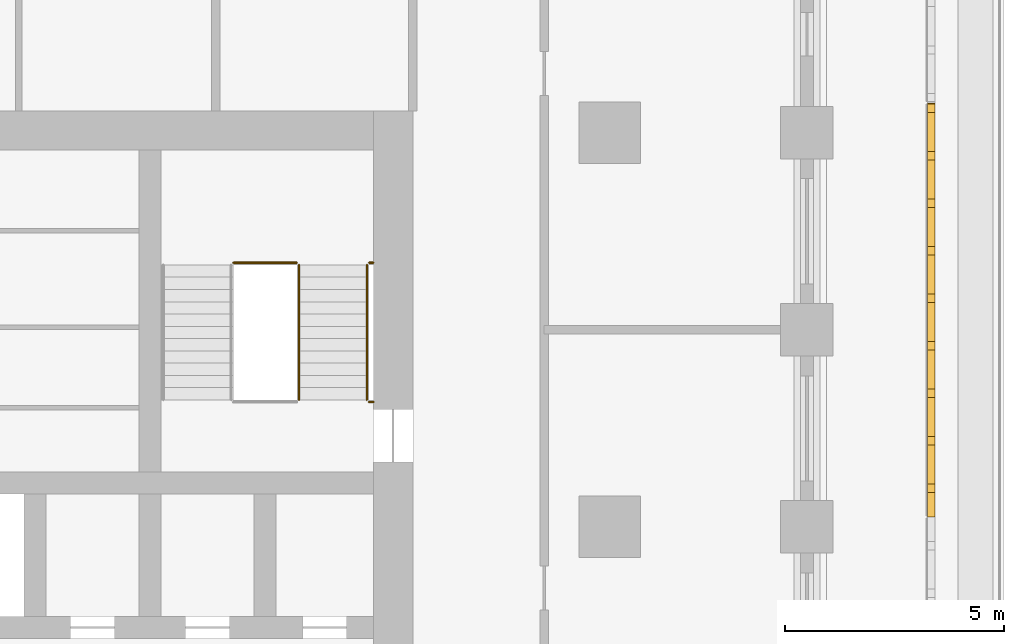
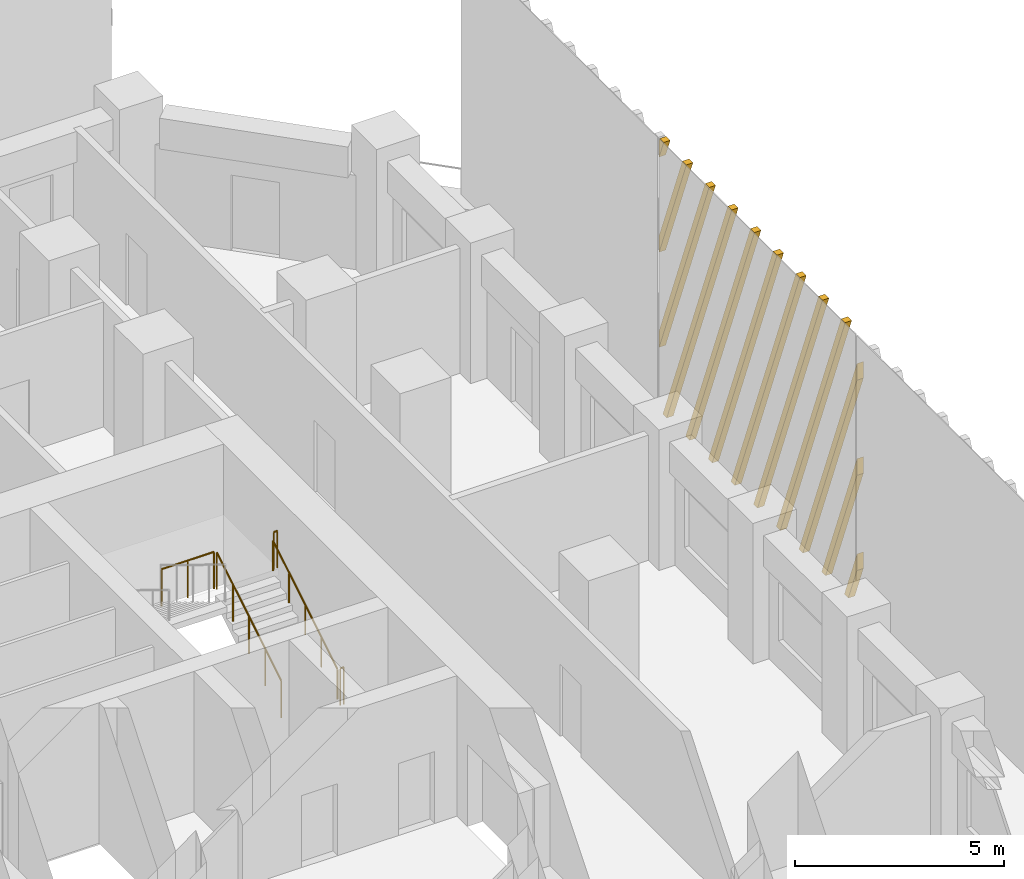
# One storey, part 17 of 19: 5 railings, 1 shading device.
"""IFC4 building model written with IfcOpenShell, lengths in metres."""

from ifc_helpers import new_model, si_unit, direction, frame, origin, origin_2d, place, context, subcontext, project, spatial, polyline, circle, outline, extrude, source, transform, mapped, material, type_object, element, save


model = new_model("IFC4")

# Units and contexts
model_context = context("Model", 3, precision=1e-05, world=origin(), true_north=direction((0.0, 1.0)))
body_context = subcontext(model_context, "Body", "Model", "MODEL_VIEW")
ifc_project = project(units=[si_unit("LENGTHUNIT", "METRE"), si_unit("AREAUNIT", "SQUARE_METRE"), si_unit("VOLUMEUNIT", "CUBIC_METRE"), si_unit("PLANEANGLEUNIT", "RADIAN"), si_unit("MASSUNIT", "GRAM", prefix="KILO")], contexts=[model_context])

# Site, building, storey
site_placement = place(None, origin())
site = spatial("IfcSite", under=ifc_project, at=site_placement, CompositionType="ELEMENT")
building_placement = place(site_placement, origin())
building = spatial("IfcBuilding", under=site, at=building_placement, Name="Corbel Stack Research Tower", CompositionType="ELEMENT")
storey_placement = place(building_placement, frame((0.0, 0.0, 116.699951171875)))
storey = spatial("IfcBuildingStorey", under=building, at=storey_placement, Name="L26", CompositionType="ELEMENT", Elevation=116.699951171875)

# Railings
ifc_material_1 = material(Name="Steel S355", Category="steel")
railing_type_1 = type_object("IfcRailingType", Name="Stair guard 1100", PredefinedType="GUARDRAIL", material=ifc_material_1)
railing_1_placement = place(storey_placement, frame((15.39990234375, 11.89990234375, 0.1708984375)))
element("IfcRailing", 1, at=railing_1_placement, inside=storey, type_object=railing_type_1, Name="L26 ST-E2 stair guard 1", PredefinedType="GUARDRAIL", context=body_context, shape_type="SweptSolid", body=[
    extrude(circle(Radius=0.02392578125, at=origin_2d()), frame((0.0, 0.0, 1.076171875), z_axis=(0.0, 0.853666305674, 0.52082035152), x_axis=(-1.0, 0.0, 0.0)), (0.0, 0.0, 1.0), 3.608154296875),
    extrude(circle(Radius=0.02099609375, at=origin_2d()), origin(), (0.0, 0.0, 1.0), 1.052001953125),
    extrude(circle(Radius=0.02099609375, at=origin_2d()), frame((0.0, 0.77001953125, 0.4697265625)), (0.0, 0.0, 1.0), 1.052001953125),
    extrude(circle(Radius=0.02099609375, at=origin_2d()), frame((0.0, 1.5400390625, 0.939453125)), (0.0, 0.0, 1.0), 1.052001953125),
    extrude(circle(Radius=0.02099609375, at=origin_2d()), frame((0.0, 2.31005859375, 1.409423828125)), (0.0, 0.0, 1.0), 1.052001953125),
    extrude(circle(Radius=0.02099609375, at=origin_2d()), frame((0.0, 3.080078125, 1.879150390625)), (0.0, 0.0, 1.0), 1.052001953125),
])
railing_2_placement = place(storey_placement, frame((15.35009765625, 15.030029296875, 2.050048828125)))
element("IfcRailing", 2, at=railing_2_placement, inside=storey, type_object=railing_type_1, Name="L26 ST-E2 stair guard 2", PredefinedType="GUARDRAIL", context=body_context, shape_type="SweptSolid", body=[
    extrude(circle(Radius=0.02392578125, at=origin_2d()), frame((0.0, 0.0, 1.076171875), z_axis=(-1.0, 0.0, 0.0), x_axis=(0.0, -1.0, 0.0)), (0.0, 0.0, 1.0), 1.4501953125),
    extrude(circle(Radius=0.02099609375, at=origin_2d()), origin(), (0.0, 0.0, 1.0), 1.052001953125),
    extrude(circle(Radius=0.02099609375, at=origin_2d()), frame((-0.72509765625, 0.0, 0.0)), (0.0, 0.0, 1.0), 1.052001953125),
    extrude(circle(Radius=0.02099609375, at=origin_2d()), frame((-1.4501953125, 0.0, 0.0)), (0.0, 0.0, 1.0), 1.052001953125),
])
for number, where, name in (
    (3, (17.10009765625, 15.030029296875, 2.050048828125), "L26 ST-E2 stair guard 3"),
    (4, (17.10009765625, 11.85009765625, 0.0), "L26 ST-E2 stair guard 6"),
):
    element("IfcRailing", number, at=place(storey_placement, frame(where)), inside=storey, type_object=railing_type_1, Name=name, PredefinedType="GUARDRAIL", context=body_context, shape_type="SweptSolid", body=[
        extrude(circle(Radius=0.02392578125, at=origin_2d()), frame((0.0, 0.0, 1.076171875), z_axis=(-1.0, 0.0, 0.0), x_axis=(0.0, -1.0, 0.0)), (0.0, 0.0, 1.0), 0.10009765625),
        extrude(circle(Radius=0.02099609375, at=origin_2d()), origin(), (0.0, 0.0, 1.0), 1.052001953125),
        extrude(circle(Radius=0.02099609375, at=origin_2d()), frame((-0.10009765625, 0.0, 0.0)), (0.0, 0.0, 1.0), 1.052001953125),
    ])
ifc_material_2 = material(Name="Steel S355", Category="steel")
railing_type_2 = type_object("IfcRailingType", Name="Stair handrail 900", PredefinedType="HANDRAIL", material=ifc_material_2)
railing_3_placement = place(storey_placement, frame((16.949951171875, 11.89990234375, 0.1708984375)))
element("IfcRailing", 5, at=railing_3_placement, inside=storey, type_object=railing_type_2, Name="L26 ST-E2 stair handrail 1", PredefinedType="HANDRAIL", context=body_context, shape_type="SweptSolid", body=[
    extrude(circle(Radius=0.02392578125, at=origin_2d()), frame((0.0, 0.0, 0.8759765625), z_axis=(0.0, 0.853666305674, 0.52082035152), x_axis=(-1.0, 0.0, 0.0)), (0.0, 0.0, 1.0), 3.608154296875),
    extrude(circle(Radius=0.02099609375, at=origin_2d()), origin(), (0.0, 0.0, 1.0), 0.851806640625),
    extrude(circle(Radius=0.02099609375, at=origin_2d()), frame((0.0, 0.77001953125, 0.4697265625)), (0.0, 0.0, 1.0), 0.851806640625),
    extrude(circle(Radius=0.02099609375, at=origin_2d()), frame((0.0, 1.5400390625, 0.939453125)), (0.0, 0.0, 1.0), 0.851806640625),
    extrude(circle(Radius=0.02099609375, at=origin_2d()), frame((0.0, 2.31005859375, 1.409423828125)), (0.0, 0.0, 1.0), 0.851806640625),
    extrude(circle(Radius=0.02099609375, at=origin_2d()), frame((0.0, 3.080078125, 1.879150390625)), (0.0, 0.0, 1.0), 0.851806640625),
])

# Shading device
ifc_material_3 = material(Name="Precast terracotta", Category="masonry")
shading_device_type = type_object("IfcShadingDeviceType", Name="Terracotta screen panel", PredefinedType="USERDEFINED", material=ifc_material_3)
shared_shape = source(origin(), body_context, "Body", "SweptSolid", [
    extrude(outline(polyline([(0.60205078125, 0.0), (0.0, 1.541748046875), (0.0, 1.055419921875), (0.412109375, 0.0), (0.60205078125, 0.0)])), frame((0.0, 0.0, 0.0), z_axis=(0.0, -1.0, 0.0), x_axis=(1.0, 0.0, 0.0)), (0.0, 0.0, 1.0), 0.179931640625),
    extrude(outline(polyline([(1.686767578125, 0.0), (0.0, 4.319091796875), (0.0, 3.83251953125), (1.496826171875, 0.0), (1.686767578125, 0.0)])), frame((0.0, 0.0, 0.0), z_axis=(0.0, -1.0, 0.0), x_axis=(1.0, 0.0, 0.0)), (0.0, 0.0, 1.0), 0.179931640625),
    extrude(outline(polyline([(2.771484375, 0.0), (0.0, 7.096435546875), (0.0, 6.60986328125), (2.58154296875, 0.0), (2.771484375, 0.0)])), frame((0.0, 0.0, 0.0), z_axis=(0.0, -1.0, 0.0), x_axis=(1.0, 0.0, 0.0)), (0.0, 0.0, 1.0), 0.179931640625),
    extrude(outline(polyline([(3.856201171875, 0.0), (0.751220703125, 7.949951171875), (0.561279296875, 7.949951171875), (3.666015625, 0.0), (3.856201171875, 0.0)])), frame((0.0, 0.0, 0.0), z_axis=(0.0, -1.0, 0.0), x_axis=(1.0, 0.0, 0.0)), (0.0, 0.0, 1.0), 0.179931640625),
    extrude(outline(polyline([(4.94091796875, 0.0), (1.8359375, 7.949951171875), (1.64599609375, 7.949951171875), (4.750732421875, 0.0), (4.94091796875, 0.0)])), frame((0.0, 0.0, 0.0), z_axis=(0.0, -1.0, 0.0), x_axis=(1.0, 0.0, 0.0)), (0.0, 0.0, 1.0), 0.179931640625),
    extrude(outline(polyline([(6.025390625, 0.0), (2.920654296875, 7.949951171875), (2.730712890625, 7.949951171875), (5.83544921875, 0.0), (6.025390625, 0.0)])), frame((0.0, 0.0, 0.0), z_axis=(0.0, -1.0, 0.0), x_axis=(1.0, 0.0, 0.0)), (0.0, 0.0, 1.0), 0.179931640625),
    extrude(outline(polyline([(7.110107421875, 0.0), (4.00537109375, 7.949951171875), (3.815185546875, 7.949951171875), (6.920166015625, 0.0), (7.110107421875, 0.0)])), frame((0.0, 0.0, 0.0), z_axis=(0.0, -1.0, 0.0), x_axis=(1.0, 0.0, 0.0)), (0.0, 0.0, 1.0), 0.179931640625),
    extrude(outline(polyline([(8.19482421875, 0.0), (5.090087890625, 7.949951171875), (4.89990234375, 7.949951171875), (8.0048828125, 0.0), (8.19482421875, 0.0)])), frame((0.0, 0.0, 0.0), z_axis=(0.0, -1.0, 0.0), x_axis=(1.0, 0.0, 0.0)), (0.0, 0.0, 1.0), 0.179931640625),
    extrude(outline(polyline([(9.279541015625, 0.0), (6.174560546875, 7.949951171875), (5.984619140625, 7.949951171875), (9.089599609375, 0.0), (9.279541015625, 0.0)])), frame((0.0, 0.0, 0.0), z_axis=(0.0, -1.0, 0.0), x_axis=(1.0, 0.0, 0.0)), (0.0, 0.0, 1.0), 0.179931640625),
    extrude(outline(polyline([(7.25927734375, 7.949951171875), (7.0693359375, 7.949951171875), (9.45556640625, 1.839599609375), (9.45556640625, 2.326171875), (7.25927734375, 7.949951171875)])), frame((0.0, 0.0, 0.0), z_axis=(0.0, -1.0, 0.0), x_axis=(1.0, 0.0, 0.0)), (0.0, 0.0, 1.0), 0.179931640625),
    extrude(outline(polyline([(8.343994140625, 7.949951171875), (8.15380859375, 7.949951171875), (9.45556640625, 4.616943359375), (9.45556640625, 5.103515625), (8.343994140625, 7.949951171875)])), frame((0.0, 0.0, 0.0), z_axis=(0.0, -1.0, 0.0), x_axis=(1.0, 0.0, 0.0)), (0.0, 0.0, 1.0), 0.179931640625),
    extrude(outline(polyline([(9.4287109375, 7.949951171875), (9.238525390625, 7.949951171875), (9.45556640625, 7.394287109375), (9.45556640625, 7.880859375), (9.4287109375, 7.949951171875)])), frame((0.0, 0.0, 0.0), z_axis=(0.0, -1.0, 0.0), x_axis=(1.0, 0.0, 0.0)), (0.0, 0.0, 1.0), 0.179931640625),
])
shading_device_placement = place(storey_placement, frame((29.75, 9.227783203125, 0.0), z_axis=(0.0, 0.0, 1.0), x_axis=(0.0, 1.0, 0.0)))
element("IfcShadingDevice", 6, at=shading_device_placement, inside=storey, type_object=shading_device_type, Name="Terracotta screen L26 E4", ObjectType="SCREEN", PredefinedType="USERDEFINED", context=body_context, shape_type="MappedRepresentation", body=[
    mapped(shared_shape, transform((0.0, 0.0, 0.0))),
])

save(model, "model.ifc")
